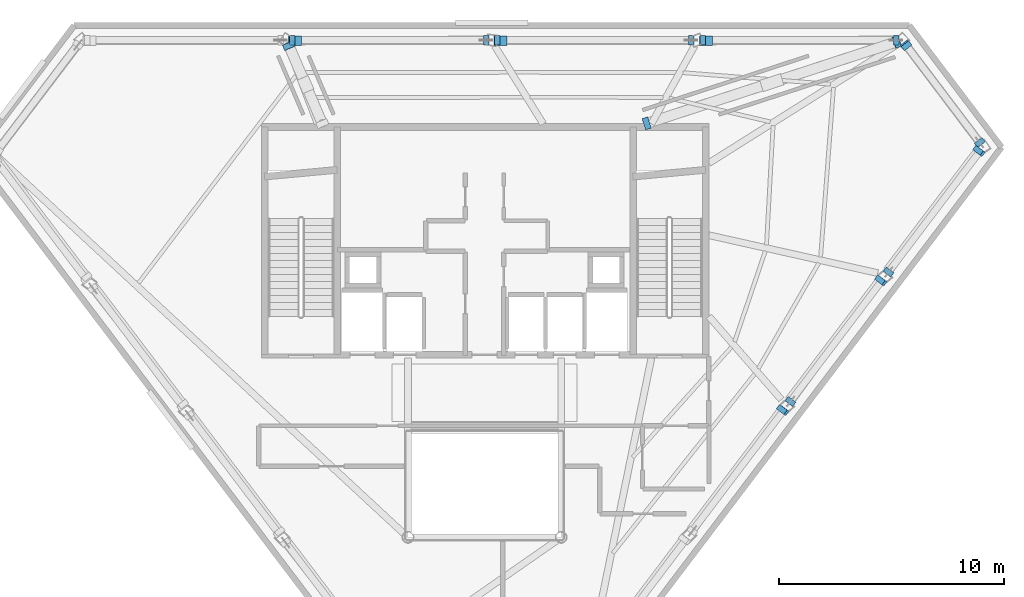
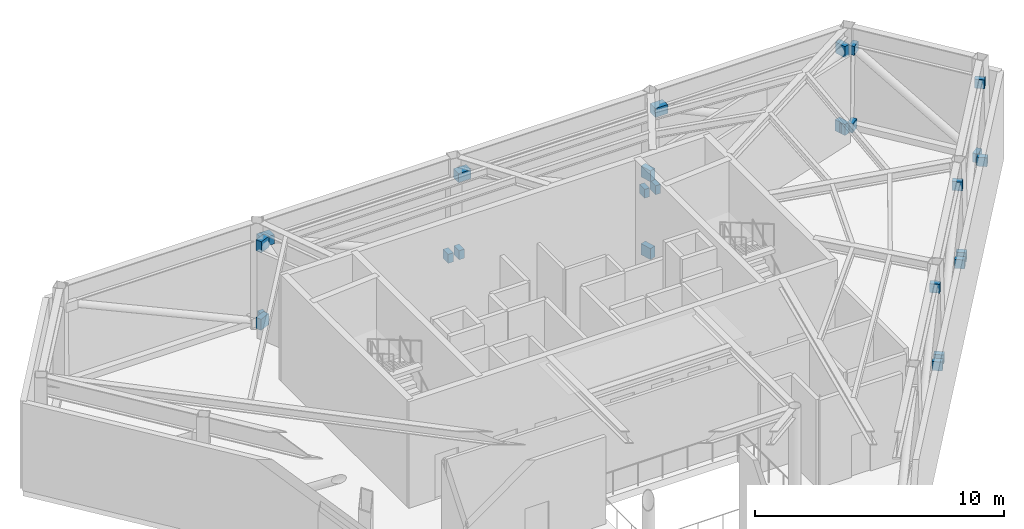
# One storey, part 6 of 9: 26 discrete accessories.
"""IFC4 building model written with IfcOpenShell, lengths in metres."""

import ifcopenshell
import ifcopenshell.guid

model = None  # the IFC model being written
_history = None  # IfcOwnerHistory: only IFC2X3 demands one
_inside = {}  # id of a spatial element -> (the spatial element, [elements in it])
_under = {}  # id of a project, library or spatial element -> (it, [spatial elements below it])
_declared = {}  # id of a project -> (the project, [libraries it declares])
_typed = {}  # id of a type object -> (the type object, [elements of that type])
_made_of = {}  # id of a material, layer set ... -> (it, [elements and type objects made of it])


def new_model(schema):
    """Start an empty IFC model of exactly this schema.

    Asked for "IFC4X3", IfcOpenShell would pick the latest addendum, in which some entities
    have other attributes; the version numbers below select the first issue.
    IFC2X3 requires an IfcOwnerHistory on every rooted entity: one is made here for all.
    """
    global model, _history
    if schema == "IFC4X3":
        model = ifcopenshell.file(schema_version=(4, 3, 0, 0))
    else:
        model = ifcopenshell.file(schema=schema)
    _inside.clear()
    _under.clear()
    _declared.clear()
    _typed.clear()
    _made_of.clear()
    _history = None
    if model.schema == "IFC2X3":
        org = make("IfcOrganization", Name="unknown")
        user = make(
            "IfcPersonAndOrganization",
            ThePerson=make("IfcPerson", FamilyName="unknown"),
            TheOrganization=org,
        )
        app = make(
            "IfcApplication",
            ApplicationDeveloper=org,
            Version="unknown",
            ApplicationFullName="unknown",
            ApplicationIdentifier="unknown",
        )
        _history = make(
            "IfcOwnerHistory",
            OwningUser=user,
            OwningApplication=app,
            ChangeAction="ADDED",
            CreationDate=0,
        )
    return model


def make(cls, **values):
    """One entity of the class cls with the attributes given. An attribute that is None is left unset."""
    return model.create_entity(
        cls, **{name: value for name, value in values.items() if value is not None}
    )


def rooted(cls, **values):
    """An entity with a GlobalId (a new one), such as an element, a storey or a relation."""
    return make(cls, GlobalId=ifcopenshell.guid.new(), OwnerHistory=_history, **values)


def si_unit(unit_type, name, prefix=None):
    """IfcSIUnit, for example si_unit("LENGTHUNIT", "METRE", prefix="MILLI")."""
    return make("IfcSIUnit", UnitType=unit_type, Prefix=prefix, Name=name)


def assignment(units):
    """IfcUnitAssignment: the units of a project."""
    return None if units is None else make("IfcUnitAssignment", Units=units)


def point(xyz):
    """IfcCartesianPoint."""
    return None if xyz is None else make("IfcCartesianPoint", Coordinates=xyz)


def direction(xyz):
    """IfcDirection."""
    return None if xyz is None else make("IfcDirection", DirectionRatios=xyz)


def frame(location, z_axis=None, x_axis=None):
    """IfcAxis2Placement3D, a coordinate frame: its origin and axes. An axis left out is left unset."""
    return make(
        "IfcAxis2Placement3D",
        Location=point(location),
        Axis=direction(z_axis),
        RefDirection=direction(x_axis),
    )


def frame_2d(location, x_axis=None):
    """IfcAxis2Placement2D, a coordinate frame in the plane: its origin and x axis."""
    return make(
        "IfcAxis2Placement2D", Location=point(location), RefDirection=direction(x_axis)
    )


def origin():
    """The frame at (0, 0, 0) with its axes left unset."""
    return frame((0.0, 0.0, 0.0))


def origin_2d():
    """The frame at (0, 0) in the plane with its x axis left unset."""
    return frame_2d((0.0, 0.0))


def place(relative_to, where):
    """IfcLocalPlacement: puts the frame where relative to a parent placement (None: the world)."""
    return make(
        "IfcLocalPlacement", PlacementRelTo=relative_to, RelativePlacement=where
    )


def context(
    kind, dimensions, precision=None, world=None, true_north=None, identifier=None
):
    """IfcGeometricRepresentationContext, for example the 3D "Model" context."""
    return make(
        "IfcGeometricRepresentationContext",
        ContextIdentifier=identifier,
        ContextType=kind,
        CoordinateSpaceDimension=dimensions,
        Precision=precision,
        WorldCoordinateSystem=world,
        TrueNorth=true_north,
    )


def subcontext(parent, identifier, kind, view, scale=None):
    """IfcGeometricRepresentationSubContext, for example "Body" below "Model"."""
    return make(
        "IfcGeometricRepresentationSubContext",
        ContextIdentifier=identifier,
        ContextType=kind,
        ParentContext=parent,
        TargetScale=scale,
        TargetView=view,
    )


def project(units=None, contexts=None):
    """IfcProject with its units and contexts."""
    return rooted(
        "IfcProject",
        Name="project",
        RepresentationContexts=contexts,
        UnitsInContext=assignment(units),
    )


def spatial(cls, under=None, at=None, **own):
    """A site, building, storey or space (cls), placed at a placement, below another one or the project."""
    s = rooted(cls, ObjectPlacement=at, **own)
    if under is not None:
        _under.setdefault(under.id(), (under, []))[1].append(s)
    return s


def profile(cls, at=None, kind="AREA", **sizes):
    """A parametric profile (cls). Its sizes go by their IFC names, for example OverallWidth=200.0."""
    return make(cls, ProfileType=kind, Position=at, **sizes)


def rectangle(**sizes):
    """IfcRectangleProfileDef."""
    return profile("IfcRectangleProfileDef", **sizes)


def extrude(swept, where, along, depth):
    """IfcExtrudedAreaSolid: the profile swept, set in the frame where, extruded along a direction by depth."""
    return make(
        "IfcExtrudedAreaSolid",
        SweptArea=swept,
        Position=where,
        ExtrudedDirection=direction(along),
        Depth=depth,
    )


def shape(context_of_items, identifier, shape_type, items):
    """IfcShapeRepresentation: the items that make up one representation, for example the "Body"."""
    return make(
        "IfcShapeRepresentation",
        ContextOfItems=context_of_items,
        RepresentationIdentifier=identifier,
        RepresentationType=shape_type,
        Items=items,
    )


def material(Name=None, Category=None):
    """IfcMaterial."""
    return make("IfcMaterial", Name=Name, Category=Category)


def made_of(thing, what):
    """Note that an element or type object is made of a material, layer set ...; save() writes the relation."""
    if what is not None:
        _made_of.setdefault(what.id(), (what, []))[1].append(thing)
    return thing


def type_object(cls, material=None, **own):
    """A type object (cls), such as IfcWallType, which elements share."""
    return made_of(rooted(cls, **own), material)


def element(
    cls,
    number,
    at=None,
    inside=None,
    cuts=None,
    type_object=None,
    material=None,
    context=None,
    identifier="Body",
    shape_type=None,
    held_by="IfcProductDefinitionShape",
    body=None,
    shapes=None,
    **own,
):
    """One element of the class cls, such as IfcWall. Its Tag is "e" and its number.

    at: its placement. inside: the storey or other place that contains it. cuts: it is an
    opening in that element (IfcRelVoidsElement). A single representation is given by context,
    identifier, shape_type and body (its items); several are given by shapes. held_by: the class
    of the entity that holds the representations. save() writes the other relations.
    """
    e = rooted(cls, Tag="e%d" % number, ObjectPlacement=at, **own)
    if body is not None:
        shapes = [shape(context, identifier, shape_type, body)]
    if shapes is not None:
        e.Representation = make(held_by, Representations=shapes)
    if inside is not None:
        _inside.setdefault(inside.id(), (inside, []))[1].append(e)
    if cuts is not None:
        rooted(
            "IfcRelVoidsElement", RelatingBuildingElement=cuts, RelatedOpeningElement=e
        )
    if type_object is not None:
        _typed.setdefault(type_object.id(), (type_object, []))[1].append(e)
    return made_of(e, material)


def aggregate(whole, parts):
    """IfcRelAggregates: a whole, such as a stair, and the parts it consists of."""
    return rooted("IfcRelAggregates", RelatingObject=whole, RelatedObjects=parts)


def save(model, path):
    """Write the relations noted so far, then the file.

    IfcRelAggregates (storeys below a building ...), IfcRelContainedInSpatialStructure (elements
    in a storey), IfcRelDefinesByType, IfcRelAssociatesMaterial and IfcRelDeclares: one each for
    every whole, place, type object, material and project.
    """
    for whole, parts in _under.values():
        aggregate(whole, parts)
    for where, things in _inside.values():
        rooted(
            "IfcRelContainedInSpatialStructure",
            RelatedElements=things,
            RelatingStructure=where,
        )
    for kind, things in _typed.values():
        rooted("IfcRelDefinesByType", RelatedObjects=things, RelatingType=kind)
    for what, things in _made_of.values():
        rooted("IfcRelAssociatesMaterial", RelatedObjects=things, RelatingMaterial=what)
    for by, libraries in _declared.values():
        rooted("IfcRelDeclares", RelatingContext=by, RelatedDefinitions=libraries)
    model.write(path)


model = new_model("IFC4")

# Units and contexts
model_context = context("Model", 3, precision=1e-05, world=origin(), true_north=direction((0.0, 1.0)))
body_context = subcontext(model_context, "Body", "Model", "MODEL_VIEW")
ifc_project = project(units=[si_unit("LENGTHUNIT", "METRE"), si_unit("AREAUNIT", "SQUARE_METRE"), si_unit("VOLUMEUNIT", "CUBIC_METRE"), si_unit("PLANEANGLEUNIT", "RADIAN"), si_unit("MASSUNIT", "GRAM", prefix="KILO")], contexts=[model_context])

# Site, building, storey
site_placement = place(None, origin())
site = spatial("IfcSite", under=ifc_project, at=site_placement, CompositionType="ELEMENT")
building_placement = place(site_placement, origin())
building = spatial("IfcBuilding", under=site, at=building_placement, Name="Zarrinselat Tower", CompositionType="ELEMENT")
storey_placement = place(building_placement, frame((0.0, 0.0, 252.9599609375)))
storey = spatial("IfcBuildingStorey", under=building, at=storey_placement, Name="L64", CompositionType="ELEMENT", Elevation=252.9599609375)

# Discrete accessories
ifc_material = material(Name="Steel S460M", Category="steel")
discrete_accessory_type = type_object("IfcDiscreteAccessoryType", Name="ACC-BRACE-END", PredefinedType="BRACKET", material=ifc_material)
for number, where, z_axis, x_axis, name in (
    (1, (56.665771484375, 47.2529296875, 0.130126953125), (0.0, 0.0, 1.0), (-1.0, 0.0, 0.0), "L64 Belt Truss 1 End Gusset Bracket EA"),
    (2, (48.0703125, 47.2529296875, 0.130126953125), (0.0, 0.0, 1.0), (-1.0, 0.0, 0.0), "L64 Belt Truss 1 End Gusset Bracket EB"),
):
    element("IfcDiscreteAccessory", number, at=place(storey_placement, frame(where, z_axis=z_axis, x_axis=x_axis)), inside=storey, type_object=discrete_accessory_type, Name=name, PredefinedType="BRACKET", context=body_context, shape_type="SweptSolid", body=[
        extrude(rectangle(XDim=0.239990234375, YDim=0.419921875, at=origin_2d()), origin(), (0.0, 0.0, 1.0), 0.43994140625),
    ])
discrete_accessory_1_placement = place(storey_placement, frame((48.219482421875, 47.224609375, 3.940185546875), z_axis=(0.0, 0.0, 1.0), x_axis=(-1.0, 0.0, 0.0)))
element("IfcDiscreteAccessory", 3, at=discrete_accessory_1_placement, inside=storey, type_object=discrete_accessory_type, Name="L64 Belt Truss 1 End Gusset Bracket ET", PredefinedType="BRACKET", context=body_context, shape_type="SweptSolid", body=[
    extrude(rectangle(XDim=0.580078125, YDim=0.419921875, at=origin_2d()), origin(), (0.0, 0.0, 1.0), 0.43994140625),
])
for number, where, z_axis, x_axis, name in (
    (4, (47.566162109375, 47.2529296875, 0.130126953125), (0.0, 0.0, 1.0), (-1.0, 0.0, 0.0), "L64 Belt Truss 2 End Gusset Bracket EA"),
    (5, (38.970703125, 47.2529296875, 0.130126953125), (0.0, 0.0, 1.0), (-1.0, 0.0, 0.0), "L64 Belt Truss 2 End Gusset Bracket EB"),
):
    element("IfcDiscreteAccessory", number, at=place(storey_placement, frame(where, z_axis=z_axis, x_axis=x_axis)), inside=storey, type_object=discrete_accessory_type, Name=name, PredefinedType="BRACKET", context=body_context, shape_type="SweptSolid", body=[
        extrude(rectangle(XDim=0.239990234375, YDim=0.419921875, at=origin_2d()), origin(), (0.0, 0.0, 1.0), 0.43994140625),
    ])
discrete_accessory_2_placement = place(storey_placement, frame((39.10498046875, 47.224609375, 3.940185546875), z_axis=(0.0, 0.0, 1.0), x_axis=(-1.0, 0.0, 0.0)))
element("IfcDiscreteAccessory", 6, at=discrete_accessory_2_placement, inside=storey, type_object=discrete_accessory_type, Name="L64 Belt Truss 2 End Gusset Bracket ET", PredefinedType="BRACKET", context=body_context, shape_type="SweptSolid", body=[
    extrude(rectangle(XDim=0.580078125, YDim=0.419921875, at=origin_2d()), origin(), (0.0, 0.0, 1.0), 0.43994140625),
])
for number, where, z_axis, x_axis, name in (
    (7, (38.466552734375, 47.2529296875, 0.130126953125), (0.0, 0.0, 1.0), (-1.0, 0.0, 0.0), "L64 Belt Truss 3 End Gusset Bracket EA"),
    (8, (29.87109375, 47.2529296875, 0.130126953125), (0.0, 0.0, 1.0), (-1.0, 0.0, 0.0), "L64 Belt Truss 3 End Gusset Bracket EB"),
):
    element("IfcDiscreteAccessory", number, at=place(storey_placement, frame(where, z_axis=z_axis, x_axis=x_axis)), inside=storey, type_object=discrete_accessory_type, Name=name, PredefinedType="BRACKET", context=body_context, shape_type="SweptSolid", body=[
        extrude(rectangle(XDim=0.239990234375, YDim=0.419921875, at=origin_2d()), origin(), (0.0, 0.0, 1.0), 0.43994140625),
    ])
discrete_accessory_3_placement = place(storey_placement, frame((29.990234375, 47.224609375, 3.940185546875), z_axis=(0.0, 0.0, 1.0), x_axis=(-1.0, 0.0, 0.0)))
element("IfcDiscreteAccessory", 9, at=discrete_accessory_3_placement, inside=storey, type_object=discrete_accessory_type, Name="L64 Belt Truss 3 End Gusset Bracket ET", PredefinedType="BRACKET", context=body_context, shape_type="SweptSolid", body=[
    extrude(rectangle(XDim=0.580078125, YDim=0.419921875, at=origin_2d()), origin(), (0.0, 0.0, 1.0), 0.43994140625),
])
for number, where, z_axis, x_axis, name in (
    (10, (51.660888671875, 30.82421875, 0.130126953125), (0.0, 0.0, 1.0), (0.603856084121, 0.797093363208, 0.0), "L64 Belt Truss 12 End Gusset Bracket EB"),
    (11, (51.578125, 30.874267578125, 3.940185546875), (0.0, 0.0, 1.0), (0.603856084121, 0.797093363208, 0.0), "L64 Belt Truss 12 End Gusset Bracket ET"),
    (12, (51.965087890625, 31.225830078125, 0.130126953125), (0.0, 0.0, 1.0), (0.603856084121, 0.797093363208, 0.0), "L64 Belt Truss 13 End Gusset Bracket EA"),
    (13, (56.010498046875, 36.56591796875, 0.130126953125), (0.0, 0.0, 1.0), (0.603856084121, 0.797093363208, 0.0), "L64 Belt Truss 13 End Gusset Bracket EB"),
    (14, (55.931884765625, 36.62109375, 3.940185546875), (0.0, 0.0, 1.0), (0.603856084121, 0.797093363208, 0.0), "L64 Belt Truss 13 End Gusset Bracket ET"),
    (15, (56.314697265625, 36.967529296875, 0.130126953125), (0.0, 0.0, 1.0), (0.603856084121, 0.797093363208, 0.0), "L64 Belt Truss 14 End Gusset Bracket EA"),
    (16, (60.360107421875, 42.307373046875, 0.130126953125), (0.0, 0.0, 1.0), (0.603856084121, 0.797093363208, 0.0), "L64 Belt Truss 14 End Gusset Bracket EB"),
    (17, (60.285400390625, 42.36767578125, 3.940185546875), (0.0, 0.0, 1.0), (0.603856084121, 0.797093363208, 0.0), "L64 Belt Truss 14 End Gusset Bracket ET"),
    (18, (60.360107421875, 42.708984375, 0.130126953125), (0.0, 0.0, 1.0), (-0.603849941997, 0.797098016275, 0.0), "L64 Belt Truss 15 End Gusset Bracket EA"),
    (19, (57.070068359375, 47.05224609375, 0.130126953125), (0.0, 0.0, 1.0), (-0.603849941997, 0.797098016275, 0.0), "L64 Belt Truss 15 End Gusset Bracket EB"),
    (20, (57.11328125, 47.00146484375, 3.940185546875), (0.0, 0.0, 1.0), (-0.603849941997, 0.797098016275, 0.0), "L64 Belt Truss 15 End Gusset Bracket ET"),
):
    element("IfcDiscreteAccessory", number, at=place(storey_placement, frame(where, z_axis=z_axis, x_axis=x_axis)), inside=storey, type_object=discrete_accessory_type, Name=name, PredefinedType="BRACKET", context=body_context, shape_type="SweptSolid", body=[
        extrude(rectangle(XDim=0.239990234375, YDim=0.419921875, at=origin_2d()), origin(), (0.0, 0.0, 1.0), 0.43994140625),
    ])
for number, where, z_axis, x_axis, name in (
    (21, (29.71826171875, 47.021484375, 0.080078125), (0.0, 0.0, 1.0), (-0.393743158049, 0.919220498841, 0.0), "L64 Outrigger NW End Gusset Bracket PB"),
    (22, (29.7255859375, 47.004150390625, 3.89013671875), (0.0, 0.0, 1.0), (-0.393743158049, 0.919220498841, 0.0), "L64 Outrigger NW End Gusset Bracket PT"),
    (23, (45.590576171875, 43.558837890625, 0.080078125), (0.0, 0.0, 1.0), (0.950720035948, 0.310050662388, 0.0), "L64 Outrigger NE End Gusset Bracket CB"),
    (24, (45.590576171875, 43.558837890625, 3.89013671875), (0.0, 0.0, 1.0), (0.950720035948, 0.310050662388, 0.0), "L64 Outrigger NE End Gusset Bracket CT"),
    (25, (56.67822265625, 47.1748046875, 0.080078125), (0.0, 0.0, 1.0), (0.950720035948, 0.310050662388, 0.0), "L64 Outrigger NE End Gusset Bracket PB"),
    (26, (56.69384765625, 47.179931640625, 3.89013671875), (0.0, 0.0, 1.0), (0.950720035948, 0.310050662388, 0.0), "L64 Outrigger NE End Gusset Bracket PT"),
):
    element("IfcDiscreteAccessory", number, at=place(storey_placement, frame(where, z_axis=z_axis, x_axis=x_axis)), inside=storey, type_object=discrete_accessory_type, Name=name, PredefinedType="BRACKET", context=body_context, shape_type="SweptSolid", body=[
        extrude(rectangle(XDim=0.260009765625, YDim=0.52001953125, at=origin_2d()), origin(), (0.0, 0.0, 1.0), 0.5400390625),
    ])

save(model, "model.ifc")
